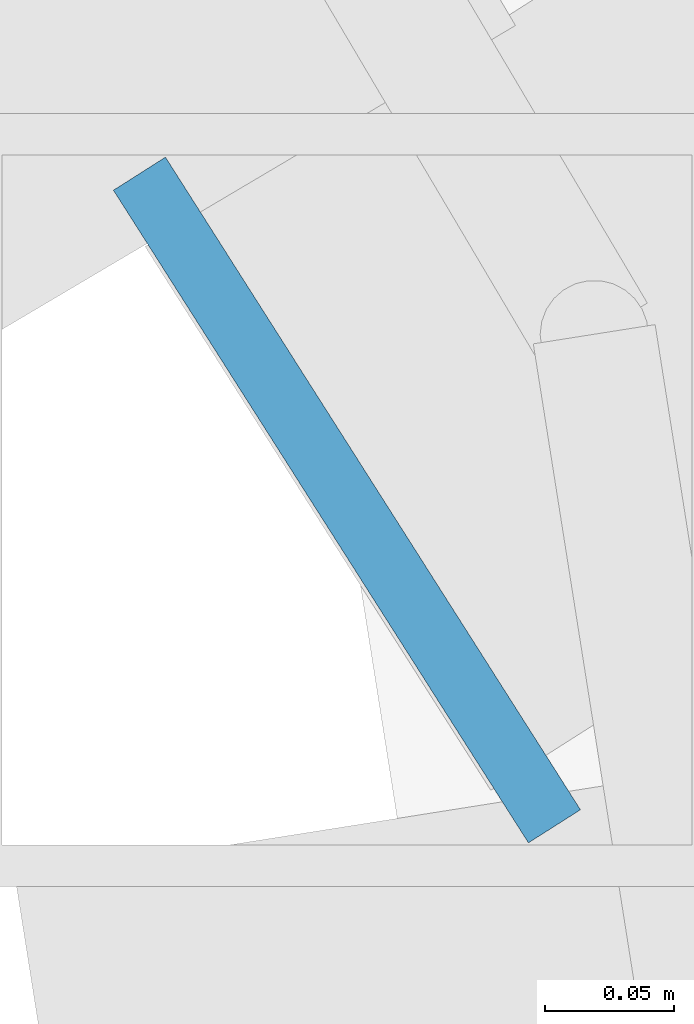
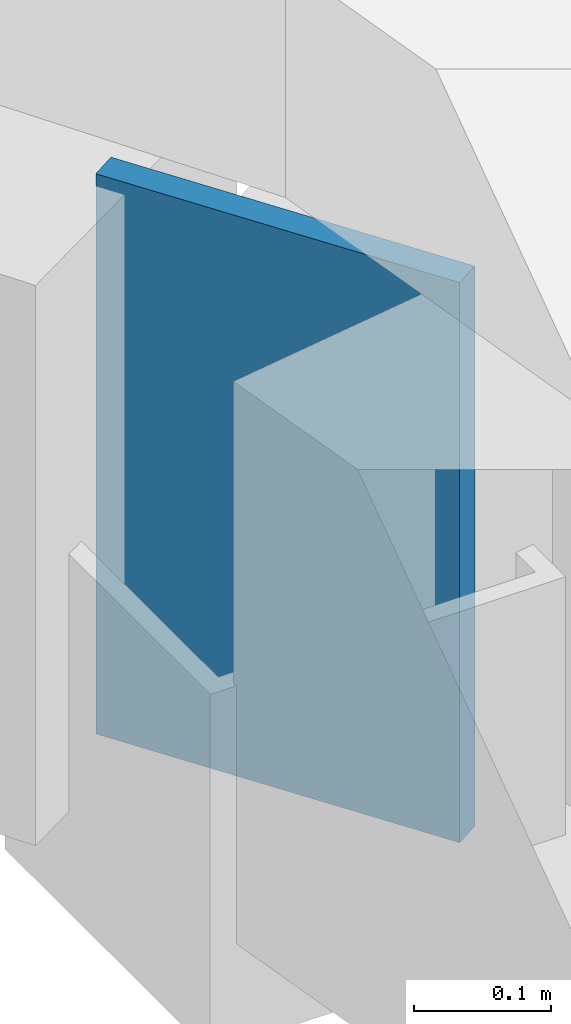
# One storey, part 50 of 77: 1 plate.
"""IFC4 building model written with IfcOpenShell, lengths in metres."""

from ifc_helpers import new_model, si_unit, direction, frame, origin, origin_2d, place, context, subcontext, project, spatial, rectangle, extrude, material, layer, layer_set, type_object, element, save


model = new_model("IFC4")

# Units and contexts
model_context = context("Model", 3, precision=1e-05, world=origin(), true_north=direction((0.0, 1.0)))
body_context = subcontext(model_context, "Body", "Model", "MODEL_VIEW")
ifc_project = project(units=[si_unit("LENGTHUNIT", "METRE"), si_unit("AREAUNIT", "SQUARE_METRE"), si_unit("VOLUMEUNIT", "CUBIC_METRE"), si_unit("PLANEANGLEUNIT", "RADIAN"), si_unit("MASSUNIT", "GRAM", prefix="KILO")], contexts=[model_context])

# Site, building, storey
site_placement = place(None, origin())
site = spatial("IfcSite", under=ifc_project, at=site_placement, CompositionType="ELEMENT")
building_placement = place(site_placement, origin())
building = spatial("IfcBuilding", under=site, at=building_placement, Name="Luwafu Chhajja Arena", CompositionType="ELEMENT")
storey_placement = place(building_placement, frame((0.0, 0.0, 14.699951171875)))
storey = spatial("IfcBuildingStorey", under=building, at=storey_placement, Name="L03", CompositionType="ELEMENT", Elevation=14.699951171875)

# Plate
ifc_material = material(Name="Steel S355", Category="steel")
ifc_layer = layer(ifc_material, 0.02392578125, Name="Steel S355")
ifc_layer_set = layer_set([ifc_layer], Name="Steel S355")
plate_type = type_object("IfcPlateType", Name="Raker Hollow End Closure Plate FN-2", PredefinedType="USERDEFINED", material=ifc_layer_set)
plate_placement = place(storey_placement, frame((128.298583984375, 67.600341796875, 0.10009765625), z_axis=(0.0, 0.0, 1.0), x_axis=(0.843828331333, 0.536613219405, 0.0)))
element("IfcPlate", 1, at=plate_placement, inside=storey, type_object=plate_type, Name="Upper Raker End Cap Plate FN-2 04", ObjectType="GUSSET PLATE", PredefinedType="USERDEFINED", context=body_context, shape_type="SweptSolid", body=[
    extrude(rectangle(XDim=0.02392578125, YDim=0.300048828125, at=origin_2d()), origin(), (0.0, 0.0, 1.0), 0.5),
])

save(model, "model.ifc")
